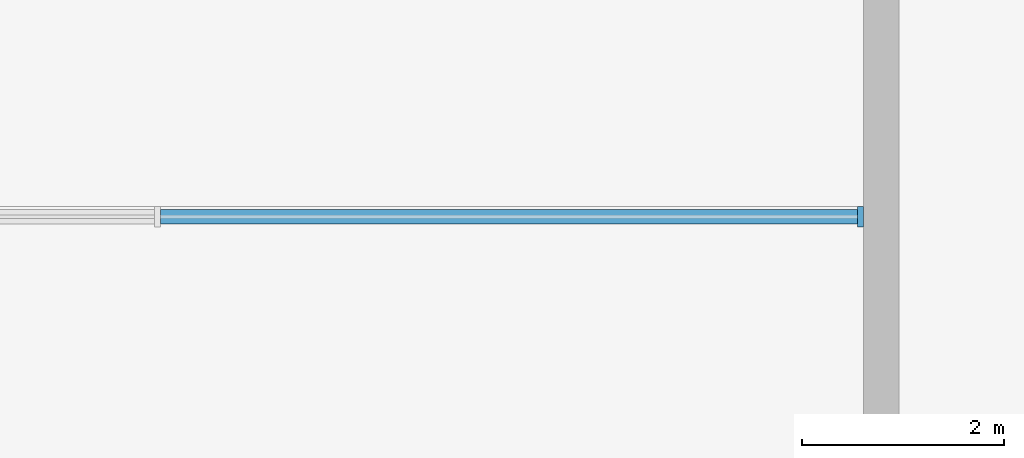
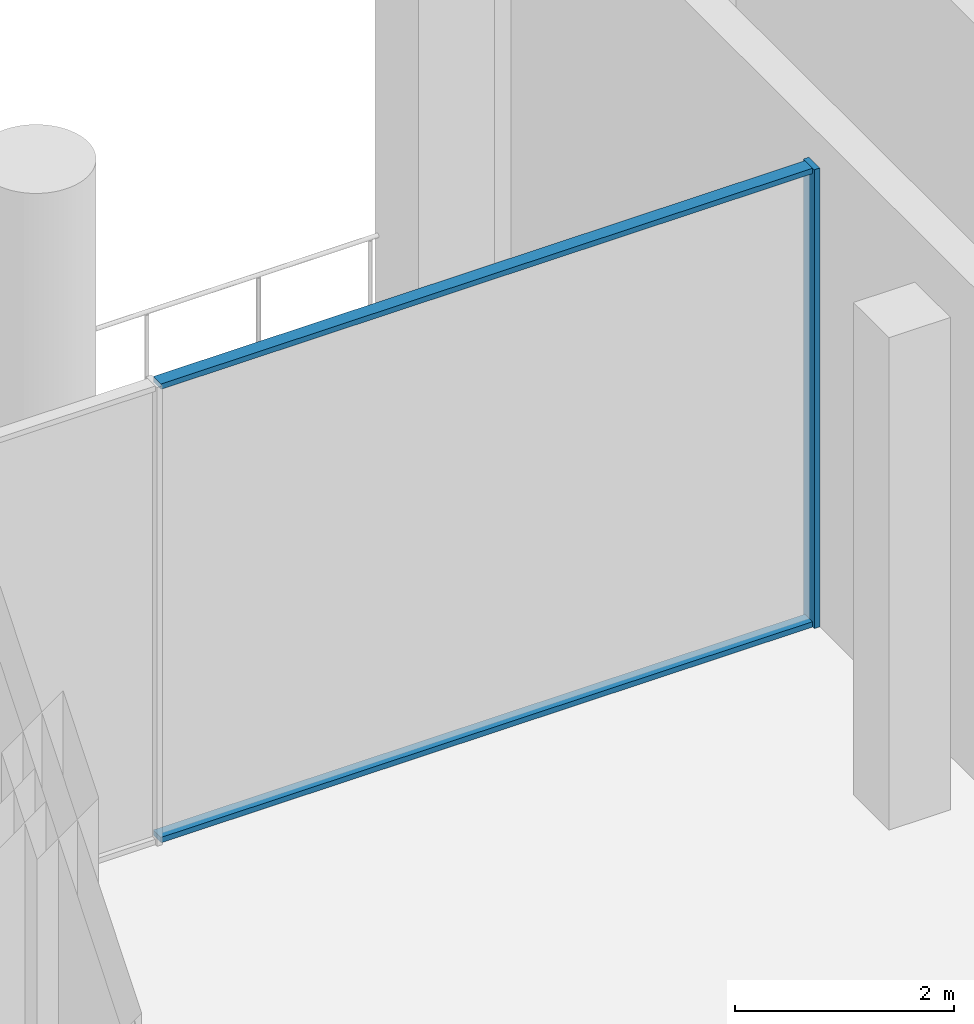
# One storey, part 5 of 17: 3 members, 1 element without a shape of its own.
"""IFC4 building model written with IfcOpenShell, lengths in metres."""

from ifc_helpers import new_model, si_unit, direction, frame, origin, origin_2d, place, context, subcontext, project, spatial, rectangle, extrude, material, material_profile, profile_set, type_object, element, aggregate, save


model = new_model("IFC4")

# Units and contexts
model_context = context("Model", 3, precision=1e-05, world=origin(), true_north=direction((0.0, 1.0)))
body_context = subcontext(model_context, "Body", "Model", "MODEL_VIEW")
ifc_project = project(units=[si_unit("LENGTHUNIT", "METRE"), si_unit("AREAUNIT", "SQUARE_METRE"), si_unit("VOLUMEUNIT", "CUBIC_METRE"), si_unit("PLANEANGLEUNIT", "RADIAN"), si_unit("MASSUNIT", "GRAM", prefix="KILO")], contexts=[model_context])

# Site, building, storey
site_placement = place(None, origin())
site = spatial("IfcSite", under=ifc_project, at=site_placement, CompositionType="ELEMENT")
building_placement = place(site_placement, origin())
building = spatial("IfcBuilding", under=site, at=building_placement, Name="Skarvind Civic Tower", CompositionType="ELEMENT")
storey_placement = place(building_placement, frame((0.0, 0.0, 182.5)))
storey = spatial("IfcBuildingStorey", under=building, at=storey_placement, Name="L43", CompositionType="ELEMENT", Elevation=182.5)

# Curtain wall, members
ifc_material_1 = material(Name="Aluminium alloy 6063 and laminated glass", Category="aluminium")
curtain_wall_type = type_object("IfcCurtainWallType", Name="CW3 SEPARATOR INNER GLAZING", PredefinedType="NOTDEFINED", material=ifc_material_1)
curtain_wall_placement = place(storey_placement, origin())
curtain_wall = element("IfcCurtainWall", 1, at=curtain_wall_placement, inside=storey, type_object=curtain_wall_type, Name="SEPARATOR INNER GLAZING", PredefinedType="NOTDEFINED")
ifc_material_2 = material(Name="Aluminium alloy 6063", Category="aluminium")
ifc_material_profile_1 = material_profile(ifc_material_2, rectangle(XDim=0.199951171875, YDim=0.06005859375, at=origin_2d()), Name="AL 60x200")
ifc_profile_set_1 = profile_set([ifc_material_profile_1], Name="Aluminium alloy 6063")
member_type_1 = type_object("IfcMemberType", Name="CW3 MULLION 60x200", PredefinedType="MULLION", material=ifc_profile_set_1)
member_1_placement = place(storey_placement, frame((90.969970703125, 132.89990234375, 0.0), z_axis=(0.0, 0.0, 1.0), x_axis=(0.0, 1.0, 0.0)))
member_1 = element("IfcMember", 2, at=member_1_placement, type_object=member_type_1, Name="CW3 mullion 3", PredefinedType="MULLION", context=body_context, shape_type="SweptSolid", body=[
    extrude(rectangle(XDim=0.199951171875, YDim=0.06005859375, at=origin_2d()), origin(), (0.0, 0.0, 1.0), 5.125),
])
ifc_material_profile_2 = material_profile(ifc_material_2, rectangle(XDim=0.139892578125, YDim=0.06005859375, at=origin_2d()), Name="AL 60x140")
ifc_profile_set_2 = profile_set([ifc_material_profile_2], Name="Aluminium alloy 6063")
member_type_2 = type_object("IfcMemberType", Name="CW3 TRANSOM 60x140", PredefinedType="USERDEFINED", material=ifc_profile_set_2)
member_2_placement = place(storey_placement, frame((84.054931640625, 132.89990234375, 0.030029296875), z_axis=(1.0, 0.0, 0.0), x_axis=(0.0, 1.0, 0.0)))
member_2 = element("IfcMember", 3, at=member_2_placement, type_object=member_type_2, Name="CW3 transom 2.1", ObjectType="TRANSOM", PredefinedType="USERDEFINED", context=body_context, shape_type="SweptSolid", body=[
    extrude(rectangle(XDim=0.139892578125, YDim=0.06005859375, at=origin_2d()), origin(), (0.0, 0.0, 1.0), 6.885009765625),
])
member_3_placement = place(storey_placement, frame((84.054931640625, 132.89990234375, 5.094970703125), z_axis=(1.0, 0.0, 0.0), x_axis=(0.0, 1.0, 0.0)))
member_3 = element("IfcMember", 4, at=member_3_placement, type_object=member_type_2, Name="CW3 transom 2.2", ObjectType="TRANSOM", PredefinedType="USERDEFINED", context=body_context, shape_type="SweptSolid", body=[
    extrude(rectangle(XDim=0.139892578125, YDim=0.06005859375, at=origin_2d()), origin(), (0.0, 0.0, 1.0), 6.885009765625),
])
aggregate(curtain_wall, [member_1, member_2, member_3])

save(model, "model.ifc")
